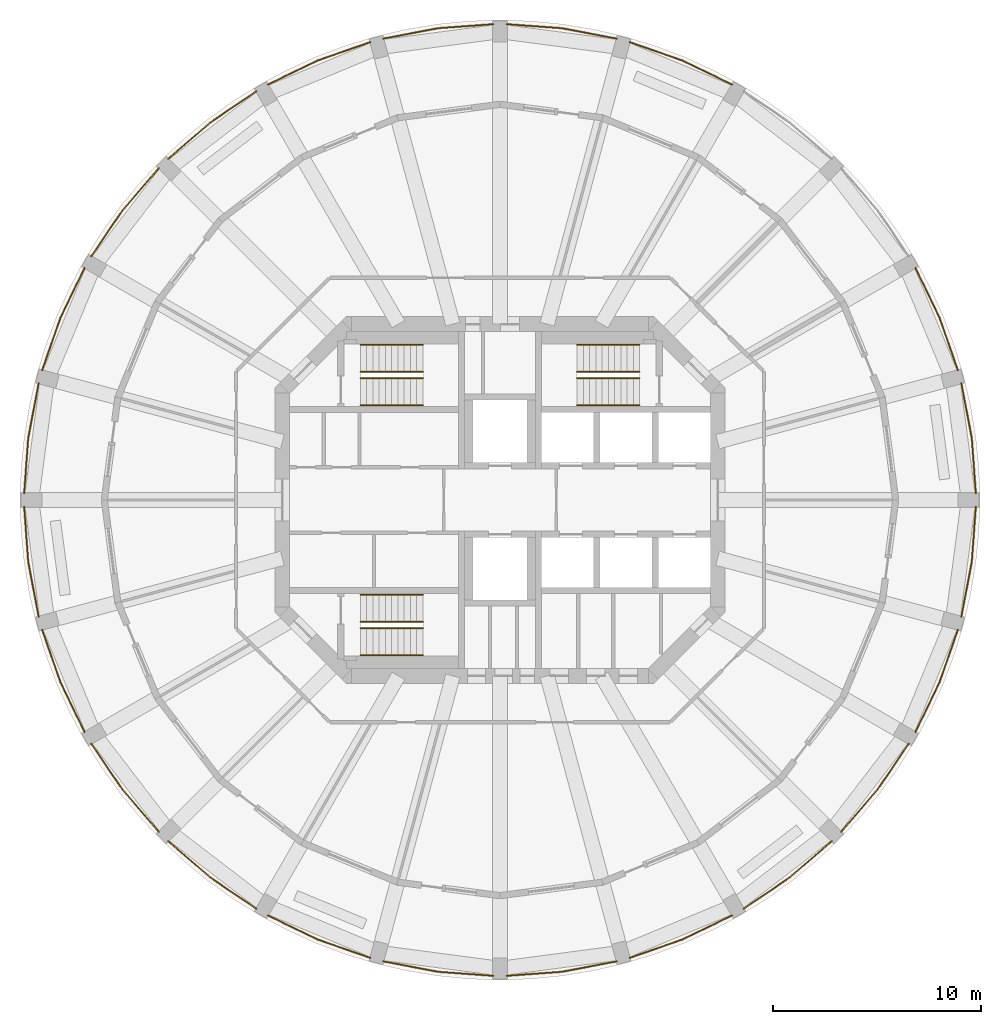
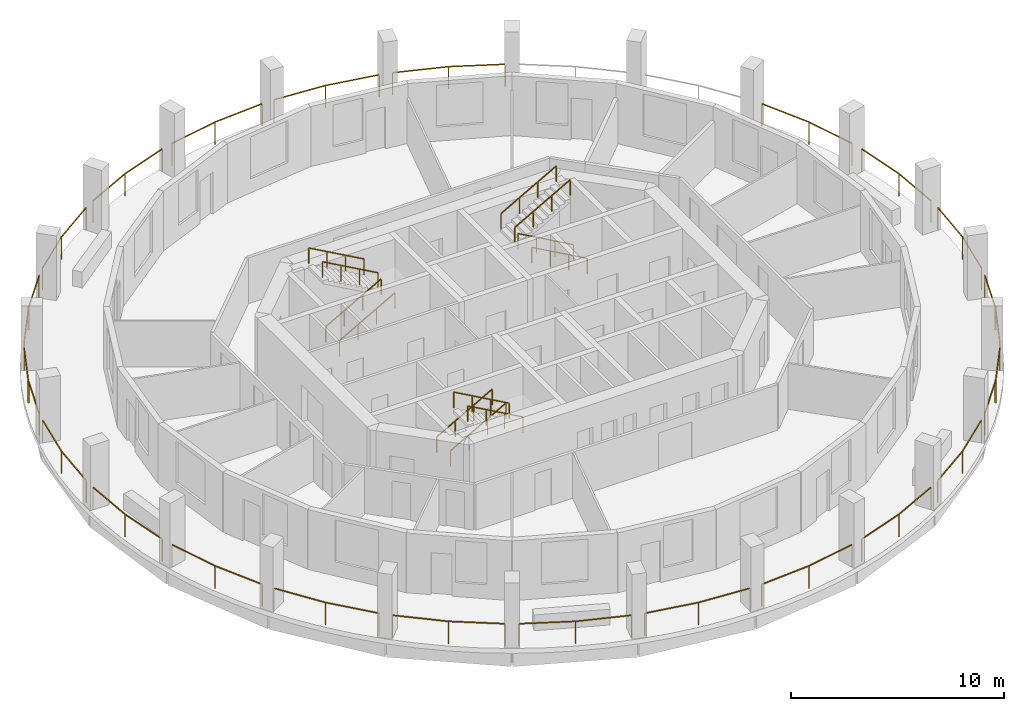
# One storey, part 8 of 9: 34 railings.
"""IFC4 building model written with IfcOpenShell, lengths in metres."""

from ifc_helpers import new_model, si_unit, direction, frame, origin, origin_2d, place, context, subcontext, project, spatial, rectangle, extrude, material, type_object, element, save


model = new_model("IFC4")

# Units and contexts
model_context = context("Model", 3, precision=1e-05, world=origin(), true_north=direction((0.0, 1.0)))
body_context = subcontext(model_context, "Body", "Model", "MODEL_VIEW")
ifc_project = project(units=[si_unit("LENGTHUNIT", "METRE"), si_unit("AREAUNIT", "SQUARE_METRE"), si_unit("VOLUMEUNIT", "CUBIC_METRE"), si_unit("PLANEANGLEUNIT", "RADIAN"), si_unit("MASSUNIT", "GRAM", prefix="KILO")], contexts=[model_context])

# Site, building, storey
site_placement = place(None, origin())
site = spatial("IfcSite", under=ifc_project, at=site_placement, CompositionType="ELEMENT")
building_placement = place(site_placement, origin())
building = spatial("IfcBuilding", under=site, at=building_placement, Name="Torre Triforio", CompositionType="ELEMENT")
storey_placement = place(building_placement, frame((0.0, 0.0, 172.699951171875)))
storey = spatial("IfcBuildingStorey", under=building, at=storey_placement, Name="L39", CompositionType="ELEMENT", Elevation=172.699951171875)

# Railings
ifc_material = material(Name="Stainless steel AISI 316", Category="steel")
railing_type_1 = type_object("IfcRailingType", Name="HANDRAIL 920", PredefinedType="HANDRAIL", material=ifc_material)
for number, where, name in (
    (1, (-6.699951171875, 4.550048828125, 0.168212890625), "Handrail ST1"),
    (2, (-6.699951171875, 5.85009765625, 0.168212890625), "Handrail ST1"),
):
    element("IfcRailing", number, at=place(storey_placement, frame(where)), inside=storey, type_object=railing_type_1, Name=name, PredefinedType="HANDRAIL", context=body_context, shape_type="SweptSolid", body=[
        extrude(rectangle(XDim=0.048095703125, YDim=0.048095703125, at=origin_2d()), frame((0.0, 0.0, 0.89599609375), z_axis=(0.872272294576, 0.0, 0.489020494575), x_axis=(0.0, 1.0, 0.0)), (0.0, 0.0, 1.0), 3.439208984375),
        extrude(rectangle(XDim=0.0419921875, YDim=0.0419921875, at=origin_2d()), origin(), (0.0, 0.0, 1.0), 0.871826171875),
        extrude(rectangle(XDim=0.0419921875, YDim=0.0419921875, at=origin_2d()), frame((1.0, 0.0, 0.560546875)), (0.0, 0.0, 1.0), 0.871826171875),
        extrude(rectangle(XDim=0.0419921875, YDim=0.0419921875, at=origin_2d()), frame((2.0, 0.0, 1.121337890625)), (0.0, 0.0, 1.0), 0.871826171875),
        extrude(rectangle(XDim=0.0419921875, YDim=0.0419921875, at=origin_2d()), frame((3.0, 0.0, 1.681884765625)), (0.0, 0.0, 1.0), 0.871826171875),
    ])
for number, where, name in (
    (3, (-3.699951171875, 7.449951171875, 2.018310546875), "Handrail ST1"),
    (4, (-3.699951171875, 6.14990234375, 2.018310546875), "Handrail ST1"),
):
    element("IfcRailing", number, at=place(storey_placement, frame(where)), inside=storey, type_object=railing_type_1, Name=name, PredefinedType="HANDRAIL", context=body_context, shape_type="SweptSolid", body=[
        extrude(rectangle(XDim=0.048095703125, YDim=0.048095703125, at=origin_2d()), frame((0.0, 0.0, 0.89599609375), z_axis=(-0.872302573547, 0.0, 0.488966481656), x_axis=(0.0, -1.0, 0.0)), (0.0, 0.0, 1.0), 3.439208984375),
        extrude(rectangle(XDim=0.0419921875, YDim=0.0419921875, at=origin_2d()), origin(), (0.0, 0.0, 1.0), 0.871826171875),
        extrude(rectangle(XDim=0.0419921875, YDim=0.0419921875, at=origin_2d()), frame((-1.0, 0.0, 0.560546875)), (0.0, 0.0, 1.0), 0.871826171875),
        extrude(rectangle(XDim=0.0419921875, YDim=0.0419921875, at=origin_2d()), frame((-2.0, 0.0, 1.12109375)), (0.0, 0.0, 1.0), 0.871826171875),
        extrude(rectangle(XDim=0.0419921875, YDim=0.0419921875, at=origin_2d()), frame((-3.0, 0.0, 1.681640625)), (0.0, 0.0, 1.0), 0.871826171875),
    ])
for number, where, name in (
    (5, (6.699951171875, 4.550048828125, 0.168212890625), "Handrail ST2"),
    (6, (6.699951171875, 5.85009765625, 0.168212890625), "Handrail ST2"),
):
    element("IfcRailing", number, at=place(storey_placement, frame(where)), inside=storey, type_object=railing_type_1, Name=name, PredefinedType="HANDRAIL", context=body_context, shape_type="SweptSolid", body=[
        extrude(rectangle(XDim=0.048095703125, YDim=0.048095703125, at=origin_2d()), frame((0.0, 0.0, 0.89599609375), z_axis=(-0.872272294576, 0.0, 0.489020494575), x_axis=(0.0, -1.0, 0.0)), (0.0, 0.0, 1.0), 3.439208984375),
        extrude(rectangle(XDim=0.0419921875, YDim=0.0419921875, at=origin_2d()), origin(), (0.0, 0.0, 1.0), 0.871826171875),
        extrude(rectangle(XDim=0.0419921875, YDim=0.0419921875, at=origin_2d()), frame((-1.0, 0.0, 0.560546875)), (0.0, 0.0, 1.0), 0.871826171875),
        extrude(rectangle(XDim=0.0419921875, YDim=0.0419921875, at=origin_2d()), frame((-2.0, 0.0, 1.121337890625)), (0.0, 0.0, 1.0), 0.871826171875),
        extrude(rectangle(XDim=0.0419921875, YDim=0.0419921875, at=origin_2d()), frame((-3.0, 0.0, 1.681884765625)), (0.0, 0.0, 1.0), 0.871826171875),
    ])
for number, where, name in (
    (7, (3.699951171875, 7.449951171875, 2.018310546875), "Handrail ST2"),
    (8, (3.699951171875, 6.14990234375, 2.018310546875), "Handrail ST2"),
):
    element("IfcRailing", number, at=place(storey_placement, frame(where)), inside=storey, type_object=railing_type_1, Name=name, PredefinedType="HANDRAIL", context=body_context, shape_type="SweptSolid", body=[
        extrude(rectangle(XDim=0.048095703125, YDim=0.048095703125, at=origin_2d()), frame((0.0, 0.0, 0.89599609375), z_axis=(0.872302573547, 0.0, 0.488966481656), x_axis=(0.0, 1.0, 0.0)), (0.0, 0.0, 1.0), 3.439208984375),
        extrude(rectangle(XDim=0.0419921875, YDim=0.0419921875, at=origin_2d()), origin(), (0.0, 0.0, 1.0), 0.871826171875),
        extrude(rectangle(XDim=0.0419921875, YDim=0.0419921875, at=origin_2d()), frame((1.0, 0.0, 0.560546875)), (0.0, 0.0, 1.0), 0.871826171875),
        extrude(rectangle(XDim=0.0419921875, YDim=0.0419921875, at=origin_2d()), frame((2.0, 0.0, 1.12109375)), (0.0, 0.0, 1.0), 0.871826171875),
        extrude(rectangle(XDim=0.0419921875, YDim=0.0419921875, at=origin_2d()), frame((3.0, 0.0, 1.681640625)), (0.0, 0.0, 1.0), 0.871826171875),
    ])
for number, where, name in (
    (9, (-6.699951171875, -4.550048828125, 0.168212890625), "Handrail ST3"),
    (10, (-6.699951171875, -5.85009765625, 0.168212890625), "Handrail ST3"),
):
    element("IfcRailing", number, at=place(storey_placement, frame(where)), inside=storey, type_object=railing_type_1, Name=name, PredefinedType="HANDRAIL", context=body_context, shape_type="SweptSolid", body=[
        extrude(rectangle(XDim=0.048095703125, YDim=0.048095703125, at=origin_2d()), frame((0.0, 0.0, 0.89599609375), z_axis=(0.872272294576, 0.0, 0.489020494575), x_axis=(0.0, 1.0, 0.0)), (0.0, 0.0, 1.0), 3.439208984375),
        extrude(rectangle(XDim=0.0419921875, YDim=0.0419921875, at=origin_2d()), origin(), (0.0, 0.0, 1.0), 0.871826171875),
        extrude(rectangle(XDim=0.0419921875, YDim=0.0419921875, at=origin_2d()), frame((1.0, 0.0, 0.560546875)), (0.0, 0.0, 1.0), 0.871826171875),
        extrude(rectangle(XDim=0.0419921875, YDim=0.0419921875, at=origin_2d()), frame((2.0, 0.0, 1.121337890625)), (0.0, 0.0, 1.0), 0.871826171875),
        extrude(rectangle(XDim=0.0419921875, YDim=0.0419921875, at=origin_2d()), frame((3.0, 0.0, 1.681884765625)), (0.0, 0.0, 1.0), 0.871826171875),
    ])
for number, where, name in (
    (11, (-3.699951171875, -7.449951171875, 2.018310546875), "Handrail ST3"),
    (12, (-3.699951171875, -6.14990234375, 2.018310546875), "Handrail ST3"),
):
    element("IfcRailing", number, at=place(storey_placement, frame(where)), inside=storey, type_object=railing_type_1, Name=name, PredefinedType="HANDRAIL", context=body_context, shape_type="SweptSolid", body=[
        extrude(rectangle(XDim=0.048095703125, YDim=0.048095703125, at=origin_2d()), frame((0.0, 0.0, 0.89599609375), z_axis=(-0.872302573547, 0.0, 0.488966481656), x_axis=(0.0, -1.0, 0.0)), (0.0, 0.0, 1.0), 3.439208984375),
        extrude(rectangle(XDim=0.0419921875, YDim=0.0419921875, at=origin_2d()), origin(), (0.0, 0.0, 1.0), 0.871826171875),
        extrude(rectangle(XDim=0.0419921875, YDim=0.0419921875, at=origin_2d()), frame((-1.0, 0.0, 0.560546875)), (0.0, 0.0, 1.0), 0.871826171875),
        extrude(rectangle(XDim=0.0419921875, YDim=0.0419921875, at=origin_2d()), frame((-2.0, 0.0, 1.12109375)), (0.0, 0.0, 1.0), 0.871826171875),
        extrude(rectangle(XDim=0.0419921875, YDim=0.0419921875, at=origin_2d()), frame((-3.0, 0.0, 1.681640625)), (0.0, 0.0, 1.0), 0.871826171875),
    ])
railing_type_2 = type_object("IfcRailingType", Name="Loggia guard 1300", PredefinedType="GUARDRAIL", material=ifc_material)
railing_1_placement = place(storey_placement, frame((22.85009765625, 0.320068359375, 0.0)))
element("IfcRailing", 13, at=railing_1_placement, inside=storey, type_object=railing_type_2, Name="Loggia guard L39 bay 01", PredefinedType="GUARDRAIL", context=body_context, shape_type="SweptSolid", body=[
    extrude(rectangle(XDim=0.050048828125, YDim=0.050048828125, at=origin_2d()), frame((0.0, 0.0, 1.27490234375), z_axis=(-0.073255194528, 0.997313228868, 0.0), x_axis=(-0.997313228868, -0.073255194528, 0.0)), (0.0, 0.0, 1.0), 2.66943359375),
    extrude(rectangle(XDim=0.050048828125, YDim=0.050048828125, at=origin_2d()), frame((-0.195556640625, 2.662353515625, 1.27490234375), z_axis=(-0.187368424401, 0.982289709575, 0.0), x_axis=(-0.982289709575, -0.187368424401, 0.0)), (0.0, 0.0, 1.0), 2.669921875),
    extrude(rectangle(XDim=0.0400390625, YDim=0.0400390625, at=origin_2d()), origin(), (0.0, 0.0, 1.0), 1.25),
    extrude(rectangle(XDim=0.0400390625, YDim=0.0400390625, at=origin_2d()), frame((-0.195556640625, 2.662353515625, 0.0)), (0.0, 0.0, 1.0), 1.25),
    extrude(rectangle(XDim=0.0400390625, YDim=0.0400390625, at=origin_2d()), frame((-0.69580078125, 5.284912109375, 0.0)), (0.0, 0.0, 1.0), 1.25),
])
railing_2_placement = place(storey_placement, frame((21.988525390625, 6.22314453125, 0.0)))
element("IfcRailing", 14, at=railing_2_placement, inside=storey, type_object=railing_type_2, Name="Loggia guard L39 bay 02", PredefinedType="GUARDRAIL", context=body_context, shape_type="SweptSolid", body=[
    extrude(rectangle(XDim=0.050048828125, YDim=0.050048828125, at=origin_2d()), frame((0.0, 0.0, 1.27490234375), z_axis=(-0.328846918852, 0.944383239984, 0.0), x_axis=(-0.944383239984, -0.328846918852, 0.0)), (0.0, 0.0, 1.0), 2.669677734375),
    extrude(rectangle(XDim=0.050048828125, YDim=0.050048828125, at=origin_2d()), frame((-0.8779296875, 2.521240234375, 1.27490234375), z_axis=(-0.435211903812, 0.900328050646, 0.0), x_axis=(-0.900328050646, -0.435211903812, 0.0)), (0.0, 0.0, 1.0), 2.669677734375),
    extrude(rectangle(XDim=0.0400390625, YDim=0.0400390625, at=origin_2d()), origin(), (0.0, 0.0, 1.0), 1.25),
    extrude(rectangle(XDim=0.0400390625, YDim=0.0400390625, at=origin_2d()), frame((-0.8779296875, 2.521240234375, 0.0)), (0.0, 0.0, 1.0), 1.25),
    extrude(rectangle(XDim=0.0400390625, YDim=0.0400390625, at=origin_2d()), frame((-2.039794921875, 4.9248046875, 0.0)), (0.0, 0.0, 1.0), 1.25),
])
railing_3_placement = place(storey_placement, frame((11.14794921875, 19.94873046875, 0.0)))
element("IfcRailing", 15, at=railing_3_placement, inside=storey, type_object=railing_type_2, Name="Loggia guard L39 bay 05", PredefinedType="GUARDRAIL", context=body_context, shape_type="SweptSolid", body=[
    extrude(rectangle(XDim=0.050048828125, YDim=0.050048828125, at=origin_2d()), frame((0.0, 0.0, 1.27490234375), z_axis=(-0.900328050646, 0.435211903812, 0.0), x_axis=(-0.435211903812, -0.900328050646, 0.0)), (0.0, 0.0, 1.0), 2.669677734375),
    extrude(rectangle(XDim=0.050048828125, YDim=0.050048828125, at=origin_2d()), frame((-2.403564453125, 1.161865234375, 1.27490234375), z_axis=(-0.944383239984, 0.328846918852, 0.0), x_axis=(-0.328846918852, -0.944383239984, 0.0)), (0.0, 0.0, 1.0), 2.669677734375),
    extrude(rectangle(XDim=0.0400390625, YDim=0.0400390625, at=origin_2d()), origin(), (0.0, 0.0, 1.0), 1.25),
    extrude(rectangle(XDim=0.0400390625, YDim=0.0400390625, at=origin_2d()), frame((-2.403564453125, 1.161865234375, 0.0)), (0.0, 0.0, 1.0), 1.25),
    extrude(rectangle(XDim=0.0400390625, YDim=0.0400390625, at=origin_2d()), frame((-4.9248046875, 2.039794921875, 0.0)), (0.0, 0.0, 1.0), 1.25),
])
railing_4_placement = place(storey_placement, frame((5.60498046875, 22.154296875, 0.0)))
element("IfcRailing", 16, at=railing_4_placement, inside=storey, type_object=railing_type_2, Name="Loggia guard L39 bay 06", PredefinedType="GUARDRAIL", context=body_context, shape_type="SweptSolid", body=[
    extrude(rectangle(XDim=0.050048828125, YDim=0.050048828125, at=origin_2d()), frame((0.0, 0.0, 1.27490234375), z_axis=(-0.982289709575, 0.187368424401, 0.0), x_axis=(-0.187368424401, -0.982289709575, 0.0)), (0.0, 0.0, 1.0), 2.669921875),
    extrude(rectangle(XDim=0.050048828125, YDim=0.050048828125, at=origin_2d()), frame((-2.62255859375, 0.500244140625, 1.27490234375), z_axis=(-0.997313228868, 0.073255194528, 0.0), x_axis=(-0.073255194528, -0.997313228868, 0.0)), (0.0, 0.0, 1.0), 2.66943359375),
    extrude(rectangle(XDim=0.0400390625, YDim=0.0400390625, at=origin_2d()), origin(), (0.0, 0.0, 1.0), 1.25),
    extrude(rectangle(XDim=0.0400390625, YDim=0.0400390625, at=origin_2d()), frame((-2.62255859375, 0.500244140625, 0.0)), (0.0, 0.0, 1.0), 1.25),
    extrude(rectangle(XDim=0.0400390625, YDim=0.0400390625, at=origin_2d()), frame((-5.284912109375, 0.69580078125, 0.0)), (0.0, 0.0, 1.0), 1.25),
])
railing_5_placement = place(storey_placement, frame((-0.320068359375, 22.85009765625, 0.0)))
element("IfcRailing", 17, at=railing_5_placement, inside=storey, type_object=railing_type_2, Name="Loggia guard L39 bay 07", PredefinedType="GUARDRAIL", context=body_context, shape_type="SweptSolid", body=[
    extrude(rectangle(XDim=0.050048828125, YDim=0.050048828125, at=origin_2d()), frame((0.0, 0.0, 1.27490234375), z_axis=(-0.997313228868, -0.073255194528, 0.0), x_axis=(0.073255194528, -0.997313228868, 0.0)), (0.0, 0.0, 1.0), 2.66943359375),
    extrude(rectangle(XDim=0.050048828125, YDim=0.050048828125, at=origin_2d()), frame((-2.662353515625, -0.195556640625, 1.27490234375), z_axis=(-0.982289709575, -0.187368424401, 0.0), x_axis=(0.187368424401, -0.982289709575, 0.0)), (0.0, 0.0, 1.0), 2.669921875),
    extrude(rectangle(XDim=0.0400390625, YDim=0.0400390625, at=origin_2d()), origin(), (0.0, 0.0, 1.0), 1.25),
    extrude(rectangle(XDim=0.0400390625, YDim=0.0400390625, at=origin_2d()), frame((-2.662353515625, -0.195556640625, 0.0)), (0.0, 0.0, 1.0), 1.25),
    extrude(rectangle(XDim=0.0400390625, YDim=0.0400390625, at=origin_2d()), frame((-5.284912109375, -0.69580078125, 0.0)), (0.0, 0.0, 1.0), 1.25),
])
railing_6_placement = place(storey_placement, frame((-6.22314453125, 21.988525390625, 0.0)))
element("IfcRailing", 18, at=railing_6_placement, inside=storey, type_object=railing_type_2, Name="Loggia guard L39 bay 08", PredefinedType="GUARDRAIL", context=body_context, shape_type="SweptSolid", body=[
    extrude(rectangle(XDim=0.050048828125, YDim=0.050048828125, at=origin_2d()), frame((0.0, 0.0, 1.27490234375), z_axis=(-0.944383239984, -0.328846918852, 0.0), x_axis=(0.328846918852, -0.944383239984, 0.0)), (0.0, 0.0, 1.0), 2.669677734375),
    extrude(rectangle(XDim=0.050048828125, YDim=0.050048828125, at=origin_2d()), frame((-2.521240234375, -0.8779296875, 1.27490234375), z_axis=(-0.900328050646, -0.435211903812, 0.0), x_axis=(0.435211903812, -0.900328050646, 0.0)), (0.0, 0.0, 1.0), 2.669677734375),
    extrude(rectangle(XDim=0.0400390625, YDim=0.0400390625, at=origin_2d()), origin(), (0.0, 0.0, 1.0), 1.25),
    extrude(rectangle(XDim=0.0400390625, YDim=0.0400390625, at=origin_2d()), frame((-2.521240234375, -0.8779296875, 0.0)), (0.0, 0.0, 1.0), 1.25),
    extrude(rectangle(XDim=0.0400390625, YDim=0.0400390625, at=origin_2d()), frame((-4.9248046875, -2.039794921875, 0.0)), (0.0, 0.0, 1.0), 1.25),
])
railing_7_placement = place(storey_placement, frame((-11.7021484375, 19.628662109375, 0.0)))
element("IfcRailing", 19, at=railing_7_placement, inside=storey, type_object=railing_type_2, Name="Loggia guard L39 bay 09", PredefinedType="GUARDRAIL", context=body_context, shape_type="SweptSolid", body=[
    extrude(rectangle(XDim=0.050048828125, YDim=0.050048828125, at=origin_2d()), frame((0.0, 0.0, 1.27490234375), z_axis=(-0.827093160774, -0.562064856935, 0.0), x_axis=(0.562064856935, -0.827093160774, 0.0)), (0.0, 0.0, 1.0), 2.669677734375),
    extrude(rectangle(XDim=0.050048828125, YDim=0.050048828125, at=origin_2d()), frame((-2.2080078125, -1.50048828125, 1.27490234375), z_axis=(-0.757012150376, -0.653400799038, 0.0), x_axis=(0.653400799038, -0.757012150376, 0.0)), (0.0, 0.0, 1.0), 2.669677734375),
    extrude(rectangle(XDim=0.0400390625, YDim=0.0400390625, at=origin_2d()), origin(), (0.0, 0.0, 1.0), 1.25),
    extrude(rectangle(XDim=0.0400390625, YDim=0.0400390625, at=origin_2d()), frame((-2.2080078125, -1.50048828125, 0.0)), (0.0, 0.0, 1.0), 1.25),
    extrude(rectangle(XDim=0.0400390625, YDim=0.0400390625, at=origin_2d()), frame((-4.22900390625, -3.244873046875, 0.0)), (0.0, 0.0, 1.0), 1.25),
])
railing_8_placement = place(storey_placement, frame((-16.3837890625, 15.93115234375, 0.0)))
element("IfcRailing", 20, at=railing_8_placement, inside=storey, type_object=railing_type_2, Name="Loggia guard L39 bay 10", PredefinedType="GUARDRAIL", context=body_context, shape_type="SweptSolid", body=[
    extrude(rectangle(XDim=0.050048828125, YDim=0.050048828125, at=origin_2d()), frame((0.0, 0.0, 1.27490234375), z_axis=(-0.653400799038, -0.757012150376, 0.0), x_axis=(0.757012150376, -0.653400799038, 0.0)), (0.0, 0.0, 1.0), 2.669677734375),
    extrude(rectangle(XDim=0.050048828125, YDim=0.050048828125, at=origin_2d()), frame((-1.744384765625, -2.02099609375, 1.27490234375), z_axis=(-0.562064856935, -0.827093160774, 0.0), x_axis=(0.827093160774, -0.562064856935, 0.0)), (0.0, 0.0, 1.0), 2.669677734375),
    extrude(rectangle(XDim=0.0400390625, YDim=0.0400390625, at=origin_2d()), origin(), (0.0, 0.0, 1.0), 1.25),
    extrude(rectangle(XDim=0.0400390625, YDim=0.0400390625, at=origin_2d()), frame((-1.744384765625, -2.02099609375, 0.0)), (0.0, 0.0, 1.0), 1.25),
    extrude(rectangle(XDim=0.0400390625, YDim=0.0400390625, at=origin_2d()), frame((-3.244873046875, -4.22900390625, 0.0)), (0.0, 0.0, 1.0), 1.25),
])
railing_9_placement = place(storey_placement, frame((-19.94873046875, 11.14794921875, 0.0)))
element("IfcRailing", 21, at=railing_9_placement, inside=storey, type_object=railing_type_2, Name="Loggia guard L39 bay 11", PredefinedType="GUARDRAIL", context=body_context, shape_type="SweptSolid", body=[
    extrude(rectangle(XDim=0.050048828125, YDim=0.050048828125, at=origin_2d()), frame((0.0, 0.0, 1.27490234375), z_axis=(-0.435211903812, -0.900328050646, 0.0), x_axis=(0.900328050646, -0.435211903812, 0.0)), (0.0, 0.0, 1.0), 2.669677734375),
    extrude(rectangle(XDim=0.050048828125, YDim=0.050048828125, at=origin_2d()), frame((-1.161865234375, -2.403564453125, 1.27490234375), z_axis=(-0.328846918852, -0.944383239984, 0.0), x_axis=(0.944383239984, -0.328846918852, 0.0)), (0.0, 0.0, 1.0), 2.669677734375),
    extrude(rectangle(XDim=0.0400390625, YDim=0.0400390625, at=origin_2d()), origin(), (0.0, 0.0, 1.0), 1.25),
    extrude(rectangle(XDim=0.0400390625, YDim=0.0400390625, at=origin_2d()), frame((-1.161865234375, -2.403564453125, 0.0)), (0.0, 0.0, 1.0), 1.25),
    extrude(rectangle(XDim=0.0400390625, YDim=0.0400390625, at=origin_2d()), frame((-2.039794921875, -4.9248046875, 0.0)), (0.0, 0.0, 1.0), 1.25),
])
railing_10_placement = place(storey_placement, frame((-22.154296875, 5.60498046875, 0.0)))
element("IfcRailing", 22, at=railing_10_placement, inside=storey, type_object=railing_type_2, Name="Loggia guard L39 bay 12", PredefinedType="GUARDRAIL", context=body_context, shape_type="SweptSolid", body=[
    extrude(rectangle(XDim=0.050048828125, YDim=0.050048828125, at=origin_2d()), frame((0.0, 0.0, 1.27490234375), z_axis=(-0.187368424401, -0.982289709575, 0.0), x_axis=(0.982289709575, -0.187368424401, 0.0)), (0.0, 0.0, 1.0), 2.669921875),
    extrude(rectangle(XDim=0.050048828125, YDim=0.050048828125, at=origin_2d()), frame((-0.500244140625, -2.62255859375, 1.27490234375), z_axis=(-0.073255194528, -0.997313228868, 0.0), x_axis=(0.997313228868, -0.073255194528, 0.0)), (0.0, 0.0, 1.0), 2.66943359375),
    extrude(rectangle(XDim=0.0400390625, YDim=0.0400390625, at=origin_2d()), origin(), (0.0, 0.0, 1.0), 1.25),
    extrude(rectangle(XDim=0.0400390625, YDim=0.0400390625, at=origin_2d()), frame((-0.500244140625, -2.62255859375, 0.0)), (0.0, 0.0, 1.0), 1.25),
    extrude(rectangle(XDim=0.0400390625, YDim=0.0400390625, at=origin_2d()), frame((-0.69580078125, -5.284912109375, 0.0)), (0.0, 0.0, 1.0), 1.25),
])
railing_11_placement = place(storey_placement, frame((-22.85009765625, -0.320068359375, 0.0)))
element("IfcRailing", 23, at=railing_11_placement, inside=storey, type_object=railing_type_2, Name="Loggia guard L39 bay 13", PredefinedType="GUARDRAIL", context=body_context, shape_type="SweptSolid", body=[
    extrude(rectangle(XDim=0.050048828125, YDim=0.050048828125, at=origin_2d()), frame((0.0, 0.0, 1.27490234375), z_axis=(0.073255194528, -0.997313228868, 0.0), x_axis=(0.997313228868, 0.073255194528, 0.0)), (0.0, 0.0, 1.0), 2.66943359375),
    extrude(rectangle(XDim=0.050048828125, YDim=0.050048828125, at=origin_2d()), frame((0.195556640625, -2.662353515625, 1.27490234375), z_axis=(0.187368424401, -0.982289709575, 0.0), x_axis=(0.982289709575, 0.187368424401, 0.0)), (0.0, 0.0, 1.0), 2.669921875),
    extrude(rectangle(XDim=0.0400390625, YDim=0.0400390625, at=origin_2d()), origin(), (0.0, 0.0, 1.0), 1.25),
    extrude(rectangle(XDim=0.0400390625, YDim=0.0400390625, at=origin_2d()), frame((0.195556640625, -2.662353515625, 0.0)), (0.0, 0.0, 1.0), 1.25),
    extrude(rectangle(XDim=0.0400390625, YDim=0.0400390625, at=origin_2d()), frame((0.69580078125, -5.284912109375, 0.0)), (0.0, 0.0, 1.0), 1.25),
])
railing_12_placement = place(storey_placement, frame((-21.988525390625, -6.22314453125, 0.0)))
element("IfcRailing", 24, at=railing_12_placement, inside=storey, type_object=railing_type_2, Name="Loggia guard L39 bay 14", PredefinedType="GUARDRAIL", context=body_context, shape_type="SweptSolid", body=[
    extrude(rectangle(XDim=0.050048828125, YDim=0.050048828125, at=origin_2d()), frame((0.0, 0.0, 1.27490234375), z_axis=(0.328846918852, -0.944383239984, 0.0), x_axis=(0.944383239984, 0.328846918852, 0.0)), (0.0, 0.0, 1.0), 2.669677734375),
    extrude(rectangle(XDim=0.050048828125, YDim=0.050048828125, at=origin_2d()), frame((0.8779296875, -2.521240234375, 1.27490234375), z_axis=(0.435211903812, -0.900328050646, 0.0), x_axis=(0.900328050646, 0.435211903812, 0.0)), (0.0, 0.0, 1.0), 2.669677734375),
    extrude(rectangle(XDim=0.0400390625, YDim=0.0400390625, at=origin_2d()), origin(), (0.0, 0.0, 1.0), 1.25),
    extrude(rectangle(XDim=0.0400390625, YDim=0.0400390625, at=origin_2d()), frame((0.8779296875, -2.521240234375, 0.0)), (0.0, 0.0, 1.0), 1.25),
    extrude(rectangle(XDim=0.0400390625, YDim=0.0400390625, at=origin_2d()), frame((2.039794921875, -4.9248046875, 0.0)), (0.0, 0.0, 1.0), 1.25),
])
railing_13_placement = place(storey_placement, frame((-19.628662109375, -11.7021484375, 0.0)))
element("IfcRailing", 25, at=railing_13_placement, inside=storey, type_object=railing_type_2, Name="Loggia guard L39 bay 15", PredefinedType="GUARDRAIL", context=body_context, shape_type="SweptSolid", body=[
    extrude(rectangle(XDim=0.050048828125, YDim=0.050048828125, at=origin_2d()), frame((0.0, 0.0, 1.27490234375), z_axis=(0.562064856935, -0.827093160774, 0.0), x_axis=(0.827093160774, 0.562064856935, 0.0)), (0.0, 0.0, 1.0), 2.669677734375),
    extrude(rectangle(XDim=0.050048828125, YDim=0.050048828125, at=origin_2d()), frame((1.50048828125, -2.2080078125, 1.27490234375), z_axis=(0.653400799038, -0.757012150376, 0.0), x_axis=(0.757012150376, 0.653400799038, 0.0)), (0.0, 0.0, 1.0), 2.669677734375),
    extrude(rectangle(XDim=0.0400390625, YDim=0.0400390625, at=origin_2d()), origin(), (0.0, 0.0, 1.0), 1.25),
    extrude(rectangle(XDim=0.0400390625, YDim=0.0400390625, at=origin_2d()), frame((1.50048828125, -2.2080078125, 0.0)), (0.0, 0.0, 1.0), 1.25),
    extrude(rectangle(XDim=0.0400390625, YDim=0.0400390625, at=origin_2d()), frame((3.244873046875, -4.22900390625, 0.0)), (0.0, 0.0, 1.0), 1.25),
])
railing_14_placement = place(storey_placement, frame((-15.93115234375, -16.3837890625, 0.0)))
element("IfcRailing", 26, at=railing_14_placement, inside=storey, type_object=railing_type_2, Name="Loggia guard L39 bay 16", PredefinedType="GUARDRAIL", context=body_context, shape_type="SweptSolid", body=[
    extrude(rectangle(XDim=0.050048828125, YDim=0.050048828125, at=origin_2d()), frame((0.0, 0.0, 1.27490234375), z_axis=(0.757012150376, -0.653400799038, 0.0), x_axis=(0.653400799038, 0.757012150376, 0.0)), (0.0, 0.0, 1.0), 2.669677734375),
    extrude(rectangle(XDim=0.050048828125, YDim=0.050048828125, at=origin_2d()), frame((2.02099609375, -1.744384765625, 1.27490234375), z_axis=(0.827093160774, -0.562064856935, 0.0), x_axis=(0.562064856935, 0.827093160774, 0.0)), (0.0, 0.0, 1.0), 2.669677734375),
    extrude(rectangle(XDim=0.0400390625, YDim=0.0400390625, at=origin_2d()), origin(), (0.0, 0.0, 1.0), 1.25),
    extrude(rectangle(XDim=0.0400390625, YDim=0.0400390625, at=origin_2d()), frame((2.02099609375, -1.744384765625, 0.0)), (0.0, 0.0, 1.0), 1.25),
    extrude(rectangle(XDim=0.0400390625, YDim=0.0400390625, at=origin_2d()), frame((4.22900390625, -3.244873046875, 0.0)), (0.0, 0.0, 1.0), 1.25),
])
railing_15_placement = place(storey_placement, frame((-11.14794921875, -19.94873046875, 0.0)))
element("IfcRailing", 27, at=railing_15_placement, inside=storey, type_object=railing_type_2, Name="Loggia guard L39 bay 17", PredefinedType="GUARDRAIL", context=body_context, shape_type="SweptSolid", body=[
    extrude(rectangle(XDim=0.050048828125, YDim=0.050048828125, at=origin_2d()), frame((0.0, 0.0, 1.27490234375), z_axis=(0.900328050646, -0.435211903812, 0.0), x_axis=(0.435211903812, 0.900328050646, 0.0)), (0.0, 0.0, 1.0), 2.669677734375),
    extrude(rectangle(XDim=0.050048828125, YDim=0.050048828125, at=origin_2d()), frame((2.403564453125, -1.161865234375, 1.27490234375), z_axis=(0.944383239984, -0.328846918852, 0.0), x_axis=(0.328846918852, 0.944383239984, 0.0)), (0.0, 0.0, 1.0), 2.669677734375),
    extrude(rectangle(XDim=0.0400390625, YDim=0.0400390625, at=origin_2d()), origin(), (0.0, 0.0, 1.0), 1.25),
    extrude(rectangle(XDim=0.0400390625, YDim=0.0400390625, at=origin_2d()), frame((2.403564453125, -1.161865234375, 0.0)), (0.0, 0.0, 1.0), 1.25),
    extrude(rectangle(XDim=0.0400390625, YDim=0.0400390625, at=origin_2d()), frame((4.9248046875, -2.039794921875, 0.0)), (0.0, 0.0, 1.0), 1.25),
])
railing_16_placement = place(storey_placement, frame((-5.60498046875, -22.154296875, 0.0)))
element("IfcRailing", 28, at=railing_16_placement, inside=storey, type_object=railing_type_2, Name="Loggia guard L39 bay 18", PredefinedType="GUARDRAIL", context=body_context, shape_type="SweptSolid", body=[
    extrude(rectangle(XDim=0.050048828125, YDim=0.050048828125, at=origin_2d()), frame((0.0, 0.0, 1.27490234375), z_axis=(0.982289709575, -0.187368424401, 0.0), x_axis=(0.187368424401, 0.982289709575, 0.0)), (0.0, 0.0, 1.0), 2.669921875),
    extrude(rectangle(XDim=0.050048828125, YDim=0.050048828125, at=origin_2d()), frame((2.62255859375, -0.500244140625, 1.27490234375), z_axis=(0.997313228868, -0.073255194528, 0.0), x_axis=(0.073255194528, 0.997313228868, 0.0)), (0.0, 0.0, 1.0), 2.66943359375),
    extrude(rectangle(XDim=0.0400390625, YDim=0.0400390625, at=origin_2d()), origin(), (0.0, 0.0, 1.0), 1.25),
    extrude(rectangle(XDim=0.0400390625, YDim=0.0400390625, at=origin_2d()), frame((2.62255859375, -0.500244140625, 0.0)), (0.0, 0.0, 1.0), 1.25),
    extrude(rectangle(XDim=0.0400390625, YDim=0.0400390625, at=origin_2d()), frame((5.284912109375, -0.69580078125, 0.0)), (0.0, 0.0, 1.0), 1.25),
])
railing_17_placement = place(storey_placement, frame((0.320068359375, -22.85009765625, 0.0)))
element("IfcRailing", 29, at=railing_17_placement, inside=storey, type_object=railing_type_2, Name="Loggia guard L39 bay 19", PredefinedType="GUARDRAIL", context=body_context, shape_type="SweptSolid", body=[
    extrude(rectangle(XDim=0.050048828125, YDim=0.050048828125, at=origin_2d()), frame((0.0, 0.0, 1.27490234375), z_axis=(0.997313228868, 0.073255194528, 0.0), x_axis=(-0.073255194528, 0.997313228868, 0.0)), (0.0, 0.0, 1.0), 2.66943359375),
    extrude(rectangle(XDim=0.050048828125, YDim=0.050048828125, at=origin_2d()), frame((2.662353515625, 0.195556640625, 1.27490234375), z_axis=(0.982289709575, 0.187368424401, 0.0), x_axis=(-0.187368424401, 0.982289709575, 0.0)), (0.0, 0.0, 1.0), 2.669921875),
    extrude(rectangle(XDim=0.0400390625, YDim=0.0400390625, at=origin_2d()), origin(), (0.0, 0.0, 1.0), 1.25),
    extrude(rectangle(XDim=0.0400390625, YDim=0.0400390625, at=origin_2d()), frame((2.662353515625, 0.195556640625, 0.0)), (0.0, 0.0, 1.0), 1.25),
    extrude(rectangle(XDim=0.0400390625, YDim=0.0400390625, at=origin_2d()), frame((5.284912109375, 0.69580078125, 0.0)), (0.0, 0.0, 1.0), 1.25),
])
railing_18_placement = place(storey_placement, frame((6.22314453125, -21.988525390625, 0.0)))
element("IfcRailing", 30, at=railing_18_placement, inside=storey, type_object=railing_type_2, Name="Loggia guard L39 bay 20", PredefinedType="GUARDRAIL", context=body_context, shape_type="SweptSolid", body=[
    extrude(rectangle(XDim=0.050048828125, YDim=0.050048828125, at=origin_2d()), frame((0.0, 0.0, 1.27490234375), z_axis=(0.944383239984, 0.328846918852, 0.0), x_axis=(-0.328846918852, 0.944383239984, 0.0)), (0.0, 0.0, 1.0), 2.669677734375),
    extrude(rectangle(XDim=0.050048828125, YDim=0.050048828125, at=origin_2d()), frame((2.521240234375, 0.8779296875, 1.27490234375), z_axis=(0.900328050646, 0.435211903812, 0.0), x_axis=(-0.435211903812, 0.900328050646, 0.0)), (0.0, 0.0, 1.0), 2.669677734375),
    extrude(rectangle(XDim=0.0400390625, YDim=0.0400390625, at=origin_2d()), origin(), (0.0, 0.0, 1.0), 1.25),
    extrude(rectangle(XDim=0.0400390625, YDim=0.0400390625, at=origin_2d()), frame((2.521240234375, 0.8779296875, 0.0)), (0.0, 0.0, 1.0), 1.25),
    extrude(rectangle(XDim=0.0400390625, YDim=0.0400390625, at=origin_2d()), frame((4.9248046875, 2.039794921875, 0.0)), (0.0, 0.0, 1.0), 1.25),
])
railing_19_placement = place(storey_placement, frame((11.7021484375, -19.628662109375, 0.0)))
element("IfcRailing", 31, at=railing_19_placement, inside=storey, type_object=railing_type_2, Name="Loggia guard L39 bay 21", PredefinedType="GUARDRAIL", context=body_context, shape_type="SweptSolid", body=[
    extrude(rectangle(XDim=0.050048828125, YDim=0.050048828125, at=origin_2d()), frame((0.0, 0.0, 1.27490234375), z_axis=(0.827093160774, 0.562064856935, 0.0), x_axis=(-0.562064856935, 0.827093160774, 0.0)), (0.0, 0.0, 1.0), 2.669677734375),
    extrude(rectangle(XDim=0.050048828125, YDim=0.050048828125, at=origin_2d()), frame((2.2080078125, 1.50048828125, 1.27490234375), z_axis=(0.757012150376, 0.653400799038, 0.0), x_axis=(-0.653400799038, 0.757012150376, 0.0)), (0.0, 0.0, 1.0), 2.669677734375),
    extrude(rectangle(XDim=0.0400390625, YDim=0.0400390625, at=origin_2d()), origin(), (0.0, 0.0, 1.0), 1.25),
    extrude(rectangle(XDim=0.0400390625, YDim=0.0400390625, at=origin_2d()), frame((2.2080078125, 1.50048828125, 0.0)), (0.0, 0.0, 1.0), 1.25),
    extrude(rectangle(XDim=0.0400390625, YDim=0.0400390625, at=origin_2d()), frame((4.22900390625, 3.244873046875, 0.0)), (0.0, 0.0, 1.0), 1.25),
])
railing_20_placement = place(storey_placement, frame((16.3837890625, -15.93115234375, 0.0)))
element("IfcRailing", 32, at=railing_20_placement, inside=storey, type_object=railing_type_2, Name="Loggia guard L39 bay 22", PredefinedType="GUARDRAIL", context=body_context, shape_type="SweptSolid", body=[
    extrude(rectangle(XDim=0.050048828125, YDim=0.050048828125, at=origin_2d()), frame((0.0, 0.0, 1.27490234375), z_axis=(0.653400799038, 0.757012150376, 0.0), x_axis=(-0.757012150376, 0.653400799038, 0.0)), (0.0, 0.0, 1.0), 2.669677734375),
    extrude(rectangle(XDim=0.050048828125, YDim=0.050048828125, at=origin_2d()), frame((1.744384765625, 2.02099609375, 1.27490234375), z_axis=(0.562064856935, 0.827093160774, 0.0), x_axis=(-0.827093160774, 0.562064856935, 0.0)), (0.0, 0.0, 1.0), 2.669677734375),
    extrude(rectangle(XDim=0.0400390625, YDim=0.0400390625, at=origin_2d()), origin(), (0.0, 0.0, 1.0), 1.25),
    extrude(rectangle(XDim=0.0400390625, YDim=0.0400390625, at=origin_2d()), frame((1.744384765625, 2.02099609375, 0.0)), (0.0, 0.0, 1.0), 1.25),
    extrude(rectangle(XDim=0.0400390625, YDim=0.0400390625, at=origin_2d()), frame((3.244873046875, 4.22900390625, 0.0)), (0.0, 0.0, 1.0), 1.25),
])
railing_21_placement = place(storey_placement, frame((19.94873046875, -11.14794921875, 0.0)))
element("IfcRailing", 33, at=railing_21_placement, inside=storey, type_object=railing_type_2, Name="Loggia guard L39 bay 23", PredefinedType="GUARDRAIL", context=body_context, shape_type="SweptSolid", body=[
    extrude(rectangle(XDim=0.050048828125, YDim=0.050048828125, at=origin_2d()), frame((0.0, 0.0, 1.27490234375), z_axis=(0.435211903812, 0.900328050646, 0.0), x_axis=(-0.900328050646, 0.435211903812, 0.0)), (0.0, 0.0, 1.0), 2.669677734375),
    extrude(rectangle(XDim=0.050048828125, YDim=0.050048828125, at=origin_2d()), frame((1.161865234375, 2.403564453125, 1.27490234375), z_axis=(0.328846918852, 0.944383239984, 0.0), x_axis=(-0.944383239984, 0.328846918852, 0.0)), (0.0, 0.0, 1.0), 2.669677734375),
    extrude(rectangle(XDim=0.0400390625, YDim=0.0400390625, at=origin_2d()), origin(), (0.0, 0.0, 1.0), 1.25),
    extrude(rectangle(XDim=0.0400390625, YDim=0.0400390625, at=origin_2d()), frame((1.161865234375, 2.403564453125, 0.0)), (0.0, 0.0, 1.0), 1.25),
    extrude(rectangle(XDim=0.0400390625, YDim=0.0400390625, at=origin_2d()), frame((2.039794921875, 4.9248046875, 0.0)), (0.0, 0.0, 1.0), 1.25),
])
railing_22_placement = place(storey_placement, frame((22.154296875, -5.60498046875, 0.0)))
element("IfcRailing", 34, at=railing_22_placement, inside=storey, type_object=railing_type_2, Name="Loggia guard L39 bay 24", PredefinedType="GUARDRAIL", context=body_context, shape_type="SweptSolid", body=[
    extrude(rectangle(XDim=0.050048828125, YDim=0.050048828125, at=origin_2d()), frame((0.0, 0.0, 1.27490234375), z_axis=(0.187368424401, 0.982289709575, 0.0), x_axis=(-0.982289709575, 0.187368424401, 0.0)), (0.0, 0.0, 1.0), 2.669921875),
    extrude(rectangle(XDim=0.050048828125, YDim=0.050048828125, at=origin_2d()), frame((0.500244140625, 2.62255859375, 1.27490234375), z_axis=(0.073255194528, 0.997313228868, 0.0), x_axis=(-0.997313228868, 0.073255194528, 0.0)), (0.0, 0.0, 1.0), 2.66943359375),
    extrude(rectangle(XDim=0.0400390625, YDim=0.0400390625, at=origin_2d()), origin(), (0.0, 0.0, 1.0), 1.25),
    extrude(rectangle(XDim=0.0400390625, YDim=0.0400390625, at=origin_2d()), frame((0.500244140625, 2.62255859375, 0.0)), (0.0, 0.0, 1.0), 1.25),
    extrude(rectangle(XDim=0.0400390625, YDim=0.0400390625, at=origin_2d()), frame((0.69580078125, 5.284912109375, 0.0)), (0.0, 0.0, 1.0), 1.25),
])

save(model, "model.ifc")
